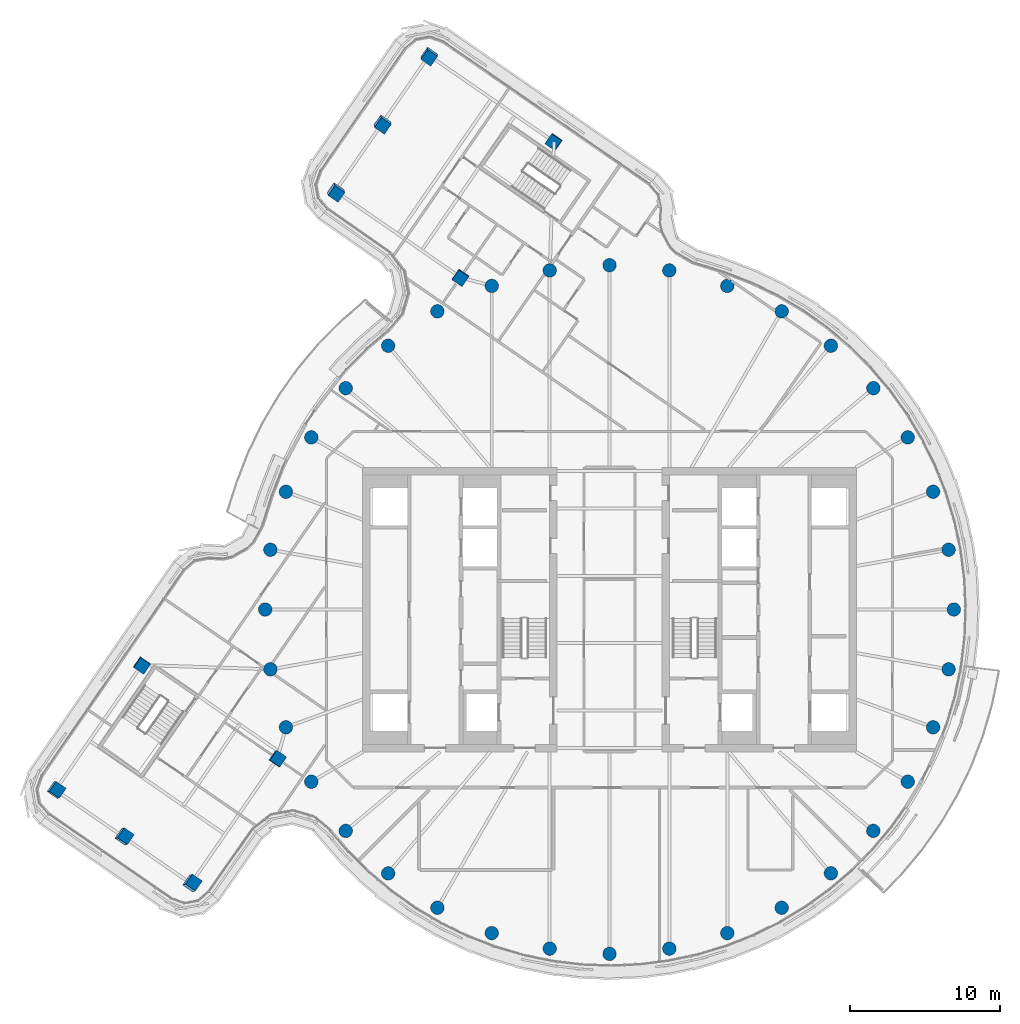
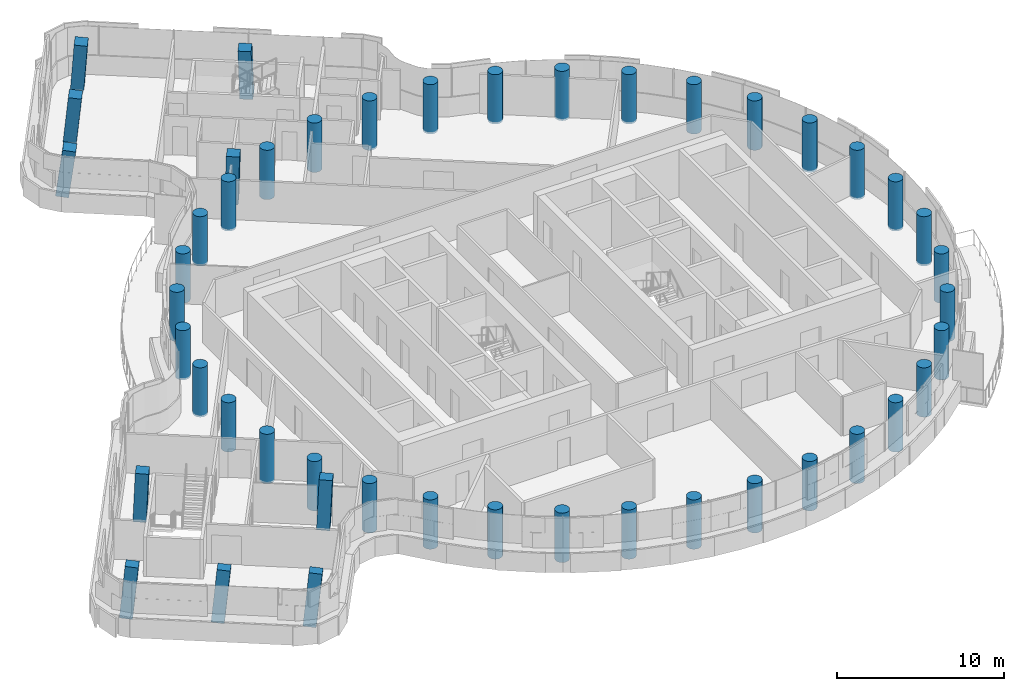
# One storey, part 1 of 26: 46 columns.
"""IFC4 building model written with IfcOpenShell, lengths in metres."""

from ifc_helpers import new_model, si_unit, direction, frame, origin, origin_2d, place, context, subcontext, project, spatial, rectangle, circle, extrude, material, material_profile, profile_set, type_object, element, save


model = new_model("IFC4")

# Units and contexts
model_context = context("Model", 3, precision=1e-05, world=origin(), true_north=direction((0.0, 1.0)))
body_context = subcontext(model_context, "Body", "Model", "MODEL_VIEW")
ifc_project = project(units=[si_unit("LENGTHUNIT", "METRE"), si_unit("AREAUNIT", "SQUARE_METRE"), si_unit("VOLUMEUNIT", "CUBIC_METRE"), si_unit("PLANEANGLEUNIT", "RADIAN"), si_unit("MASSUNIT", "GRAM", prefix="KILO")], contexts=[model_context])

# Site, building, storey
site_placement = place(None, origin())
site = spatial("IfcSite", under=ifc_project, at=site_placement, CompositionType="ELEMENT")
building_placement = place(site_placement, origin())
building = spatial("IfcBuilding", under=site, at=building_placement, Name="Tamarind Cross Interchange Tower", CompositionType="ELEMENT")
storey_placement = place(building_placement, frame((0.0, 0.0, 234.300048828125)))
storey = spatial("IfcBuildingStorey", under=building, at=storey_placement, Name="L59", CompositionType="ELEMENT", Elevation=234.300048828125)

# Columns
ifc_material = material(Name="Concrete C50", Category="concrete")
ifc_material_profile_1 = material_profile(ifc_material, rectangle(XDim=0.800048828125, YDim=0.800048828125, at=origin_2d()), Name="RC 800x800")
ifc_profile_set_1 = profile_set([ifc_material_profile_1], Name="Concrete C50")
column_type_1 = type_object("IfcColumnType", Name="Column RC 800x800 Concrete C50", PredefinedType="COLUMN", material=ifc_profile_set_1)
for number, where, z_axis, x_axis, name in (
    (1, (-9.955078125, 22.190185546875, -0.138916015625), (-0.000474424421, -0.050356763522, 0.998731180693), (0.5677282831, 0.822157981301, 0.041723498785), "Column L59-045"),
    (2, (-3.704833984375, 31.241943359375, -0.138916015625), (-0.046561372433, -0.019180303346, 0.998731272446), (0.822463558757, -0.568155925884, 0.02743243335), "Column L59-046"),
):
    element("IfcColumn", number, at=place(storey_placement, frame(where, z_axis=z_axis, x_axis=x_axis)), inside=storey, type_object=column_type_1, Name=name, PredefinedType="COLUMN", context=body_context, shape_type="SweptSolid", body=[
        extrude(rectangle(XDim=0.800048828125, YDim=0.800048828125, at=origin_2d()), origin(), (0.0, 0.0, 1.0), 3.602294921875),
    ])
column_1_placement = place(storey_placement, frame((-12.0517578125, 37.00537109375, -0.137939453125), z_axis=(0.00573264207, -0.114855169943, 0.993365706451), x_axis=(0.568378702485, 0.817689858134, 0.091263061898)))
element("IfcColumn", 3, at=column_1_placement, inside=storey, type_object=column_type_1, Name="Column L59-047", PredefinedType="COLUMN", context=body_context, shape_type="SweptSolid", body=[
    extrude(rectangle(XDim=0.800048828125, YDim=0.800048828125, at=origin_2d()), origin(), (0.0, 0.0, 1.0), 3.619873046875),
])
column_2_placement = place(storey_placement, frame((-15.1767578125, 32.4794921875, -0.137939453125), z_axis=(0.028532286453, -0.13007761725, 0.991093195477), x_axis=(0.56971014122, 0.816814052479, 0.090802856027)))
element("IfcColumn", 4, at=column_2_placement, inside=storey, type_object=column_type_1, Name="Column L59-048", PredefinedType="COLUMN", context=body_context, shape_type="SweptSolid", body=[
    extrude(rectangle(XDim=0.800048828125, YDim=0.800048828125, at=origin_2d()), origin(), (0.0, 0.0, 1.0), 3.6279296875),
])
column_3_placement = place(storey_placement, frame((-18.302001953125, 27.95361328125, -0.137939453125), z_axis=(0.051322892604, -0.145112963009, 0.988083087934), x_axis=(0.570260507735, 0.816486632962, 0.09029137009)))
element("IfcColumn", 5, at=column_3_placement, inside=storey, type_object=column_type_1, Name="Column L59-049", PredefinedType="COLUMN", context=body_context, shape_type="SweptSolid", body=[
    extrude(rectangle(XDim=0.800048828125, YDim=0.800048828125, at=origin_2d()), origin(), (0.0, 0.0, 1.0), 3.63916015625),
])
for number, where, z_axis, x_axis, name in (
    (6, (-22.190185546875, -9.955078125, -0.138916015625), (0.050356763522, -0.000474424421, 0.998731180693), (-0.822157981301, 0.5677282831, 0.041723498785), "Column L59-052"),
    (7, (-31.241943359375, -3.704833984375, -0.138916015625), (0.019180303346, -0.046561372433, 0.998731272446), (0.568155925884, 0.822463558757, 0.02743243335), "Column L59-053"),
):
    element("IfcColumn", number, at=place(storey_placement, frame(where, z_axis=z_axis, x_axis=x_axis)), inside=storey, type_object=column_type_1, Name=name, PredefinedType="COLUMN", context=body_context, shape_type="SweptSolid", body=[
        extrude(rectangle(XDim=0.800048828125, YDim=0.800048828125, at=origin_2d()), origin(), (0.0, 0.0, 1.0), 3.602294921875),
    ])
column_4_placement = place(storey_placement, frame((-37.00537109375, -12.0517578125, -0.137939453125), z_axis=(0.114855169943, 0.00573264207, 0.993365706451), x_axis=(-0.817689858134, 0.568378702485, 0.091263061898)))
element("IfcColumn", 8, at=column_4_placement, inside=storey, type_object=column_type_1, Name="Column L59-054", PredefinedType="COLUMN", context=body_context, shape_type="SweptSolid", body=[
    extrude(rectangle(XDim=0.800048828125, YDim=0.800048828125, at=origin_2d()), origin(), (0.0, 0.0, 1.0), 3.619873046875),
])
column_5_placement = place(storey_placement, frame((-32.4794921875, -15.1767578125, -0.137939453125), z_axis=(0.13007761725, 0.028532286453, 0.991093195477), x_axis=(-0.816814052479, 0.56971014122, 0.090802856027)))
element("IfcColumn", 9, at=column_5_placement, inside=storey, type_object=column_type_1, Name="Column L59-055", PredefinedType="COLUMN", context=body_context, shape_type="SweptSolid", body=[
    extrude(rectangle(XDim=0.800048828125, YDim=0.800048828125, at=origin_2d()), origin(), (0.0, 0.0, 1.0), 3.6279296875),
])
column_6_placement = place(storey_placement, frame((-27.95361328125, -18.302001953125, -0.137939453125), z_axis=(0.145112963009, 0.051322892604, 0.988083087934), x_axis=(-0.816486632962, 0.570260507735, 0.09029137009)))
element("IfcColumn", 10, at=column_6_placement, inside=storey, type_object=column_type_1, Name="Column L59-056", PredefinedType="COLUMN", context=body_context, shape_type="SweptSolid", body=[
    extrude(rectangle(XDim=0.800048828125, YDim=0.800048828125, at=origin_2d()), origin(), (0.0, 0.0, 1.0), 3.63916015625),
])
ifc_material_profile_2 = material_profile(ifc_material, circle(Radius=0.449951171875, at=origin_2d()), Name="RC D900")
ifc_profile_set_2 = profile_set([ifc_material_profile_2], Name="Concrete C50")
column_type_2 = type_object("IfcColumnType", Name="Column RC D900 Concrete C50", PredefinedType="COLUMN", material=ifc_profile_set_2)
for number, where, z_axis, x_axis, name in (
    (11, (23.0, 0.0, -0.14013671875), (0.0, 0.0, 1.0), (1.0, 0.0, 0.0), "Column L59-000"),
    (12, (22.650634765625, 3.993896484375, -0.14013671875), (0.0, 0.0, 1.0), (1.0, 0.0, 0.0), "Column L59-001"),
    (13, (21.613037109375, 7.866455078125, -0.14013671875), (0.0, 0.0, 1.0), (1.0, 0.0, 0.0), "Column L59-002"),
    (14, (19.918701171875, 11.5, -0.14013671875), (0.0, 0.0, 1.0), (1.0, 0.0, 0.0), "Column L59-003"),
    (15, (17.619140625, 14.7841796875, -0.14013671875), (0.0, 0.0, 1.0), (1.0, 0.0, 0.0), "Column L59-004"),
    (16, (14.7841796875, 17.619140625, -0.14013671875), (0.0, 0.0, 1.0), (1.0, 0.0, 0.0), "Column L59-005"),
    (17, (11.5, 19.918701171875, -0.14013671875), (0.0, 0.0, 1.0), (1.0, 0.0, 0.0), "Column L59-006"),
    (18, (7.866455078125, 21.613037109375, -0.14013671875), (0.0, 0.0, 1.0), (1.0, 0.0, 0.0), "Column L59-007"),
    (19, (3.993896484375, 22.650634765625, -0.14013671875), (0.0, 0.0, 1.0), (1.0, 0.0, 0.0), "Column L59-008"),
    (20, (0.0, 23.0, -0.14013671875), (0.0, 0.0, 1.0), (1.0, 0.0, 0.0), "Column L59-009"),
    (21, (-3.993896484375, 22.650634765625, -0.14013671875), (0.0, 0.0, 1.0), (1.0, 0.0, 0.0), "Column L59-010"),
    (22, (-7.866455078125, 21.613037109375, -0.14013671875), (0.0, 0.0, 1.0), (1.0, 0.0, 0.0), "Column L59-011"),
    (23, (-11.5, 19.918701171875, -0.14013671875), (0.0, 0.0, 1.0), (1.0, 0.0, 0.0), "Column L59-012"),
    (24, (-14.7841796875, 17.619140625, -0.14013671875), (0.0, 0.0, 1.0), (1.0, 0.0, 0.0), "Column L59-013"),
    (25, (-17.619140625, 14.7841796875, -0.14013671875), (0.0, 0.0, 1.0), (1.0, 0.0, 0.0), "Column L59-014"),
    (26, (-19.918701171875, 11.5, -0.14013671875), (0.0, 0.0, 1.0), (1.0, 0.0, 0.0), "Column L59-015"),
    (27, (-21.613037109375, 7.866455078125, -0.14013671875), (0.0, 0.0, 1.0), (1.0, 0.0, 0.0), "Column L59-016"),
    (28, (-22.650634765625, 3.993896484375, -0.14013671875), (0.0, 0.0, 1.0), (1.0, 0.0, 0.0), "Column L59-017"),
    (29, (-23.0, 0.0, -0.14013671875), (0.0, 0.0, 1.0), (1.0, 0.0, 0.0), "Column L59-018"),
    (30, (-22.650634765625, -3.993896484375, -0.14013671875), (0.0, 0.0, 1.0), (1.0, 0.0, 0.0), "Column L59-019"),
    (31, (-21.613037109375, -7.866455078125, -0.14013671875), (0.0, 0.0, 1.0), (1.0, 0.0, 0.0), "Column L59-020"),
    (32, (-19.918701171875, -11.5, -0.14013671875), (0.0, 0.0, 1.0), (1.0, 0.0, 0.0), "Column L59-021"),
    (33, (-17.619140625, -14.7841796875, -0.14013671875), (0.0, 0.0, 1.0), (1.0, 0.0, 0.0), "Column L59-022"),
    (34, (-14.7841796875, -17.619140625, -0.14013671875), (0.0, 0.0, 1.0), (1.0, 0.0, 0.0), "Column L59-023"),
    (35, (-11.5, -19.918701171875, -0.14013671875), (0.0, 0.0, 1.0), (1.0, 0.0, 0.0), "Column L59-024"),
    (36, (-7.866455078125, -21.613037109375, -0.14013671875), (0.0, 0.0, 1.0), (1.0, 0.0, 0.0), "Column L59-025"),
    (37, (-3.993896484375, -22.650634765625, -0.14013671875), (0.0, 0.0, 1.0), (1.0, 0.0, 0.0), "Column L59-026"),
    (38, (0.0, -23.0, -0.14013671875), (0.0, 0.0, 1.0), (1.0, 0.0, 0.0), "Column L59-027"),
    (39, (3.993896484375, -22.650634765625, -0.14013671875), (0.0, 0.0, 1.0), (1.0, 0.0, 0.0), "Column L59-028"),
    (40, (7.866455078125, -21.613037109375, -0.14013671875), (0.0, 0.0, 1.0), (1.0, 0.0, 0.0), "Column L59-029"),
    (41, (11.5, -19.918701171875, -0.14013671875), (0.0, 0.0, 1.0), (1.0, 0.0, 0.0), "Column L59-030"),
    (42, (14.7841796875, -17.619140625, -0.14013671875), (0.0, 0.0, 1.0), (1.0, 0.0, 0.0), "Column L59-031"),
    (43, (17.619140625, -14.7841796875, -0.14013671875), (0.0, 0.0, 1.0), (1.0, 0.0, 0.0), "Column L59-032"),
    (44, (19.918701171875, -11.5, -0.14013671875), (0.0, 0.0, 1.0), (1.0, 0.0, 0.0), "Column L59-033"),
    (45, (21.613037109375, -7.866455078125, -0.14013671875), (0.0, 0.0, 1.0), (1.0, 0.0, 0.0), "Column L59-034"),
    (46, (22.650634765625, -3.993896484375, -0.14013671875), (0.0, 0.0, 1.0), (1.0, 0.0, 0.0), "Column L59-035"),
):
    element("IfcColumn", number, at=place(storey_placement, frame(where, z_axis=z_axis, x_axis=x_axis)), inside=storey, type_object=column_type_2, Name=name, PredefinedType="COLUMN", context=body_context, shape_type="SweptSolid", body=[
        extrude(circle(Radius=0.449951171875, at=origin_2d()), origin(), (0.0, 0.0, 1.0), 3.60009765625),
    ])

save(model, "model.ifc")
